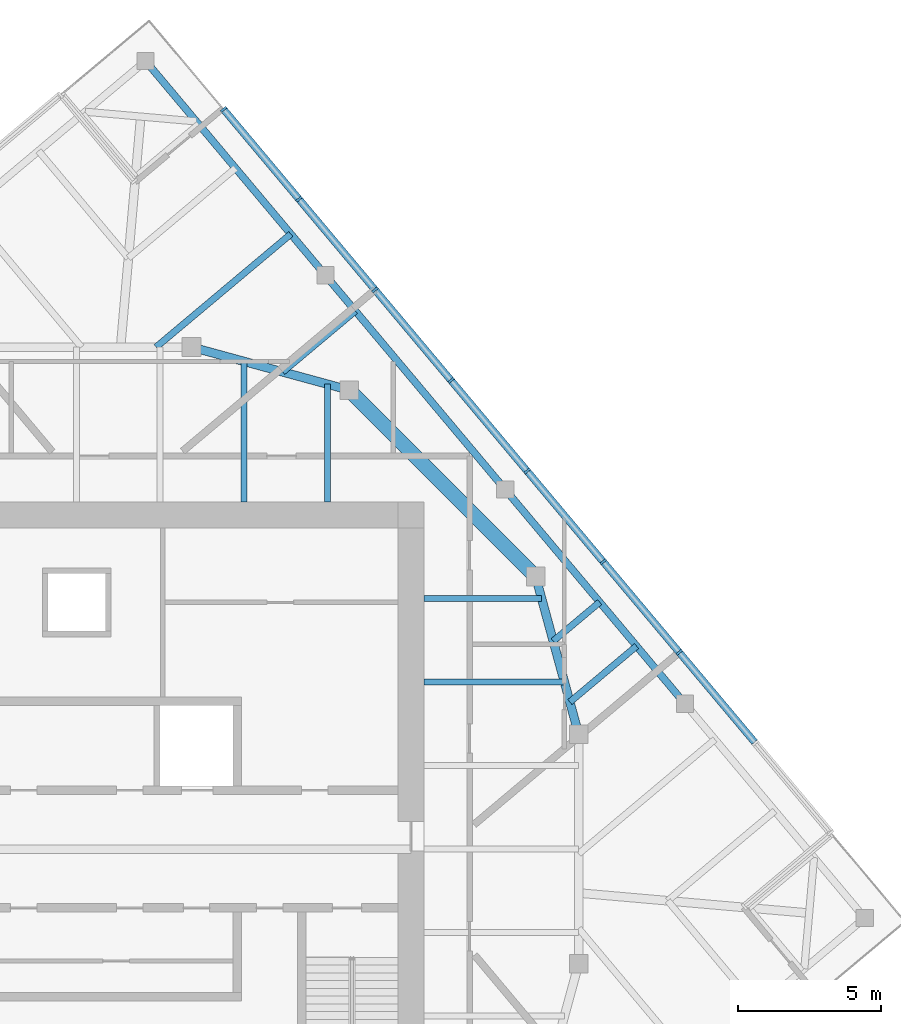
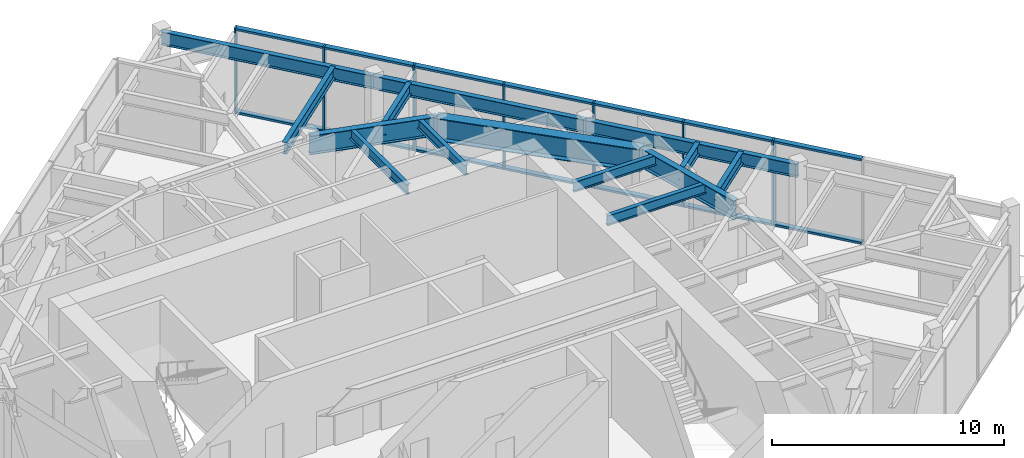
# One storey, part 6 of 11: 21 members, 14 beams, 1 element without a shape of its own.
"""IFC4 building model written with IfcOpenShell, lengths in metres."""

from ifc_helpers import new_model, si_unit, direction, frame, origin, origin_2d, place, context, subcontext, project, spatial, rectangle, i_section, extrude, material, material_profile, profile_set, type_object, element, aggregate, save


model = new_model("IFC4")

# Units and contexts
model_context = context("Model", 3, precision=1e-05, world=origin(), true_north=direction((0.0, 1.0)))
body_context = subcontext(model_context, "Body", "Model", "MODEL_VIEW")
ifc_project = project(units=[si_unit("LENGTHUNIT", "METRE"), si_unit("AREAUNIT", "SQUARE_METRE"), si_unit("VOLUMEUNIT", "CUBIC_METRE"), si_unit("PLANEANGLEUNIT", "RADIAN"), si_unit("MASSUNIT", "GRAM", prefix="KILO")], contexts=[model_context])

# Site, building, storey
site_placement = place(None, origin())
site = spatial("IfcSite", under=ifc_project, at=site_placement, CompositionType="ELEMENT")
building_placement = place(site_placement, origin())
building = spatial("IfcBuilding", under=site, at=building_placement, Name="Torsade Residences", CompositionType="ELEMENT")
storey_placement = place(building_placement, frame((0.0, 0.0, 304.300048828125)))
storey = spatial("IfcBuildingStorey", under=building, at=storey_placement, Name="L84", CompositionType="ELEMENT", Elevation=304.300048828125)

# Beams
ifc_material_1 = material(Name="Steel grade 300", Category="steel")
ifc_material_profile_1 = material_profile(ifc_material_1, i_section(OverallWidth=0.25, OverallDepth=0.699951171875, WebThickness=0.010009765625, FlangeThickness=0.02001953125, at=origin_2d()), Name="700WB130")
ifc_profile_set_1 = profile_set([ifc_material_profile_1], Name="Steel grade 300")
beam_type_1 = type_object("IfcBeamType", Name="EDGE BEAM 700WB130", PredefinedType="SPANDREL", material=ifc_profile_set_1)
for number, where, z_axis, x_axis, name in (
    (1, (61.205078125, 35.0654296875, 3.89990234375), (-0.642779160279, 0.766051532934, 0.0), (-0.766051532934, -0.642779160279, 0.0), "Edge beam 06 RF"),
    (2, (54.93798828125, 42.534423828125, 3.89990234375), (-0.642806184154, 0.766028856906, 0.0), (-0.766028856906, -0.642806184154, 0.0), "Edge beam 07 RF"),
    (3, (48.670654296875, 50.003173828125, 3.89990234375), (-0.642779160279, 0.766051532934, 0.0), (-0.766051532934, -0.642779160279, 0.0), "Edge beam 08 RF"),
):
    element("IfcBeam", number, at=place(storey_placement, frame(where, z_axis=z_axis, x_axis=x_axis)), inside=storey, type_object=beam_type_1, Name=name, PredefinedType="SPANDREL", context=body_context, shape_type="SweptSolid", body=[
        extrude(i_section(OverallWidth=0.25, OverallDepth=0.699951171875, WebThickness=0.010009765625, FlangeThickness=0.02001953125, at=origin_2d()), origin(), (0.0, 0.0, 1.0), 9.75),
    ])
ifc_material_2 = material(Name="Steel grade 300", Category="steel")
ifc_material_profile_2 = material_profile(ifc_material_2, i_section(OverallWidth=0.208984375, OverallDepth=0.528076171875, WebThickness=0.009521484375, FlangeThickness=0.01318359375, FilletRadius=0.013916015625, at=origin_2d()), Name="530UB82.0")
ifc_profile_set_2 = profile_set([ifc_material_profile_2], Name="Steel grade 300")
beam_type_2 = type_object("IfcBeamType", Name="INNER FLOOR BEAM 530UB82.0", PredefinedType="JOIST", material=ifc_profile_set_2)
beam_1_placement = place(storey_placement, frame((45.824951171875, 42.10009765625, 3.98583984375), z_axis=(0.0, 1.0, 0.0), x_axis=(-1.0, 0.0, 0.0)))
element("IfcBeam", 4, at=beam_1_placement, inside=storey, type_object=beam_type_2, Name="Inner floor beam IN06 RF", PredefinedType="JOIST", context=body_context, shape_type="SweptSolid", body=[
    extrude(i_section(OverallWidth=0.208984375, OverallDepth=0.528076171875, WebThickness=0.009521484375, FlangeThickness=0.01318359375, FilletRadius=0.013916015625, at=origin_2d()), origin(), (0.0, 0.0, 1.0), 4.902099609375),
])
beam_2_placement = place(storey_placement, frame((48.737548828125, 42.10009765625, 3.98583984375), z_axis=(0.0, 1.0, 0.0), x_axis=(-1.0, 0.0, 0.0)))
element("IfcBeam", 5, at=beam_2_placement, inside=storey, type_object=beam_type_2, Name="Inner floor beam IN07 RF", PredefinedType="JOIST", context=body_context, shape_type="SweptSolid", body=[
    extrude(i_section(OverallWidth=0.208984375, OverallDepth=0.528076171875, WebThickness=0.009521484375, FlangeThickness=0.01318359375, FilletRadius=0.013916015625, at=origin_2d()), origin(), (0.0, 0.0, 1.0), 4.10791015625),
])
beam_3_placement = place(storey_placement, frame((52.10009765625, 35.824951171875, 3.98583984375), z_axis=(1.0, 0.0, 0.0), x_axis=(0.0, 1.0, 0.0)))
element("IfcBeam", 6, at=beam_3_placement, inside=storey, type_object=beam_type_2, Name="Inner floor beam IE06 RF", PredefinedType="JOIST", context=body_context, shape_type="SweptSolid", body=[
    extrude(i_section(OverallWidth=0.208984375, OverallDepth=0.528076171875, WebThickness=0.009521484375, FlangeThickness=0.01318359375, FilletRadius=0.013916015625, at=origin_2d()), origin(), (0.0, 0.0, 1.0), 4.902099609375),
])
beam_4_placement = place(storey_placement, frame((52.10009765625, 38.737548828125, 3.98583984375), z_axis=(1.0, 0.0, 0.0), x_axis=(0.0, 1.0, 0.0)))
element("IfcBeam", 7, at=beam_4_placement, inside=storey, type_object=beam_type_2, Name="Inner floor beam IE07 RF", PredefinedType="JOIST", context=body_context, shape_type="SweptSolid", body=[
    extrude(i_section(OverallWidth=0.208984375, OverallDepth=0.528076171875, WebThickness=0.009521484375, FlangeThickness=0.01318359375, FilletRadius=0.013916015625, at=origin_2d()), origin(), (0.0, 0.0, 1.0), 4.10791015625),
])

# Curtain wall, members
ifc_material_3 = material(Name="Aluminium and glass", Category="aluminium")
curtain_wall_type = type_object("IfcCurtainWallType", Name="PLANT LEVEL LOUVRED CURTAIN WALL", PredefinedType="NOTDEFINED", material=ifc_material_3)
curtain_wall_placement = place(storey_placement, origin())
curtain_wall = element("IfcCurtainWall", 8, at=curtain_wall_placement, inside=storey, type_object=curtain_wall_type, Name="Curtain wall L84 face 4", PredefinedType="NOTDEFINED")
ifc_material_4 = material(Name="Aluminium mullion", Category="aluminium")
ifc_material_profile_3 = material_profile(ifc_material_4, rectangle(XDim=0.25, YDim=0.080078125, at=origin_2d()), Name="LOUVRE WALL MULLION 250x80")
ifc_profile_set_3 = profile_set([ifc_material_profile_3], Name="Aluminium mullion")
member_type_1 = type_object("IfcMemberType", Name="LOUVRE WALL MULLION 250x80", PredefinedType="MULLION", material=ifc_profile_set_3)
member_1_placement = place(storey_placement, frame((61.0068359375, 36.857177734375, 0.0), z_axis=(0.0, 0.0, 1.0), x_axis=(-0.766044437106, -0.642787616853, 0.0)))
member_1 = element("IfcMember", 9, at=member_1_placement, type_object=member_type_1, Name="Mullion 3", PredefinedType="MULLION", context=body_context, shape_type="SweptSolid", body=[
    extrude(rectangle(XDim=0.25, YDim=0.080078125, at=origin_2d()), origin(), (0.0, 0.0, 1.0), 4.5),
])
member_2_placement = place(storey_placement, frame((58.35546875, 40.017333984375, 0.0), z_axis=(0.0, 0.0, 1.0), x_axis=(-0.766044437106, -0.642787616853, 0.0)))
member_2 = element("IfcMember", 10, at=member_2_placement, type_object=member_type_1, Name="Mullion 4", PredefinedType="MULLION", context=body_context, shape_type="SweptSolid", body=[
    extrude(rectangle(XDim=0.25, YDim=0.080078125, at=origin_2d()), origin(), (0.0, 0.0, 1.0), 4.5),
])
member_3_placement = place(storey_placement, frame((55.703857421875, 43.17724609375, 0.0), z_axis=(0.0, 0.0, 1.0), x_axis=(-0.766044437106, -0.642787616853, 0.0)))
member_3 = element("IfcMember", 11, at=member_3_placement, type_object=member_type_1, Name="Mullion 5", PredefinedType="MULLION", context=body_context, shape_type="SweptSolid", body=[
    extrude(rectangle(XDim=0.25, YDim=0.080078125, at=origin_2d()), origin(), (0.0, 0.0, 1.0), 4.5),
])
member_4_placement = place(storey_placement, frame((53.052490234375, 46.337158203125, 0.0), z_axis=(0.0, 0.0, 1.0), x_axis=(-0.766044437106, -0.642787616853, 0.0)))
member_4 = element("IfcMember", 12, at=member_4_placement, type_object=member_type_1, Name="Mullion 6", PredefinedType="MULLION", context=body_context, shape_type="SweptSolid", body=[
    extrude(rectangle(XDim=0.25, YDim=0.080078125, at=origin_2d()), origin(), (0.0, 0.0, 1.0), 4.5),
])
member_5_placement = place(storey_placement, frame((50.40087890625, 49.4970703125, 0.0), z_axis=(0.0, 0.0, 1.0), x_axis=(-0.766044437106, -0.642787616853, 0.0)))
member_5 = element("IfcMember", 13, at=member_5_placement, type_object=member_type_1, Name="Mullion 7", PredefinedType="MULLION", context=body_context, shape_type="SweptSolid", body=[
    extrude(rectangle(XDim=0.25, YDim=0.080078125, at=origin_2d()), origin(), (0.0, 0.0, 1.0), 4.5),
])
member_6_placement = place(storey_placement, frame((47.74951171875, 52.656982421875, 0.0), z_axis=(0.0, 0.0, 1.0), x_axis=(-0.766044437106, -0.642787616853, 0.0)))
member_6 = element("IfcMember", 14, at=member_6_placement, type_object=member_type_1, Name="Mullion 8", PredefinedType="MULLION", context=body_context, shape_type="SweptSolid", body=[
    extrude(rectangle(XDim=0.25, YDim=0.080078125, at=origin_2d()), origin(), (0.0, 0.0, 1.0), 4.5),
])
member_7_placement = place(storey_placement, frame((45.12353515625, 55.7861328125, 0.0), z_axis=(0.0, 0.0, 1.0), x_axis=(-0.766044437106, -0.642787616853, 0.0)))
member_7 = element("IfcMember", 15, at=member_7_placement, type_object=member_type_1, Name="Mullion 9", PredefinedType="MULLION", context=body_context, shape_type="SweptSolid", body=[
    extrude(rectangle(XDim=0.25, YDim=0.080078125, at=origin_2d()), origin(), (0.0, 0.0, 1.0), 4.5),
])
ifc_material_5 = material(Name="Aluminium transom", Category="aluminium")
ifc_material_profile_4 = material_profile(ifc_material_5, rectangle(XDim=0.25, YDim=0.110107421875, at=origin_2d()), Name="LOUVRE WALL TRANSOM 250x110")
ifc_profile_set_4 = profile_set([ifc_material_profile_4], Name="Aluminium transom")
member_type_2 = type_object("IfcMemberType", Name="LOUVRE WALL TRANSOM 250x110", PredefinedType="USERDEFINED", material=ifc_profile_set_4)
member_8_placement = place(storey_placement, frame((63.6328125, 33.72802734375, 0.054931640625), z_axis=(-0.642792833221, 0.766040060023, 0.0), x_axis=(-0.766040060023, -0.642792833221, 0.0)))
member_8 = element("IfcMember", 16, at=member_8_placement, type_object=member_type_2, Name="Transom 2.1", ObjectType="TRANSOM", PredefinedType="USERDEFINED", context=body_context, shape_type="SweptSolid", body=[
    extrude(rectangle(XDim=0.25, YDim=0.110107421875, at=origin_2d()), origin(), (0.0, 0.0, 1.0), 4.044921875),
])
member_9_placement = place(storey_placement, frame((63.6328125, 33.72802734375, 4.445068359375), z_axis=(-0.642792833221, 0.766040060023, 0.0), x_axis=(-0.766040060023, -0.642792833221, 0.0)))
member_9 = element("IfcMember", 17, at=member_9_placement, type_object=member_type_2, Name="Transom 2.2", ObjectType="TRANSOM", PredefinedType="USERDEFINED", context=body_context, shape_type="SweptSolid", body=[
    extrude(rectangle(XDim=0.25, YDim=0.110107421875, at=origin_2d()), origin(), (0.0, 0.0, 1.0), 4.044921875),
])
member_10_placement = place(storey_placement, frame((60.981201171875, 36.887939453125, 0.054931640625), z_axis=(-0.642792833221, 0.766040060023, 0.0), x_axis=(-0.766040060023, -0.642792833221, 0.0)))
member_10 = element("IfcMember", 18, at=member_10_placement, type_object=member_type_2, Name="Transom 3.1", ObjectType="TRANSOM", PredefinedType="USERDEFINED", context=body_context, shape_type="SweptSolid", body=[
    extrude(rectangle(XDim=0.25, YDim=0.110107421875, at=origin_2d()), origin(), (0.0, 0.0, 1.0), 4.044921875),
])
member_11_placement = place(storey_placement, frame((60.981201171875, 36.887939453125, 4.445068359375), z_axis=(-0.642792833221, 0.766040060023, 0.0), x_axis=(-0.766040060023, -0.642792833221, 0.0)))
member_11 = element("IfcMember", 19, at=member_11_placement, type_object=member_type_2, Name="Transom 3.2", ObjectType="TRANSOM", PredefinedType="USERDEFINED", context=body_context, shape_type="SweptSolid", body=[
    extrude(rectangle(XDim=0.25, YDim=0.110107421875, at=origin_2d()), origin(), (0.0, 0.0, 1.0), 4.044921875),
])
member_12_placement = place(storey_placement, frame((58.32958984375, 40.0478515625, 0.054931640625), z_axis=(-0.642757413132, 0.766069780023, 0.0), x_axis=(-0.766069780023, -0.642757413132, 0.0)))
member_12 = element("IfcMember", 20, at=member_12_placement, type_object=member_type_2, Name="Transom 4.1", ObjectType="TRANSOM", PredefinedType="USERDEFINED", context=body_context, shape_type="SweptSolid", body=[
    extrude(rectangle(XDim=0.25, YDim=0.110107421875, at=origin_2d()), origin(), (0.0, 0.0, 1.0), 4.044921875),
])
member_13_placement = place(storey_placement, frame((58.32958984375, 40.0478515625, 4.445068359375), z_axis=(-0.642757413132, 0.766069780023, 0.0), x_axis=(-0.766069780023, -0.642757413132, 0.0)))
member_13 = element("IfcMember", 21, at=member_13_placement, type_object=member_type_2, Name="Transom 4.2", ObjectType="TRANSOM", PredefinedType="USERDEFINED", context=body_context, shape_type="SweptSolid", body=[
    extrude(rectangle(XDim=0.25, YDim=0.110107421875, at=origin_2d()), origin(), (0.0, 0.0, 1.0), 4.044921875),
])
member_14_placement = place(storey_placement, frame((55.67822265625, 43.207763671875, 0.054931640625), z_axis=(-0.642792833221, 0.766040060023, 0.0), x_axis=(-0.766040060023, -0.642792833221, 0.0)))
member_14 = element("IfcMember", 22, at=member_14_placement, type_object=member_type_2, Name="Transom 5.1", ObjectType="TRANSOM", PredefinedType="USERDEFINED", context=body_context, shape_type="SweptSolid", body=[
    extrude(rectangle(XDim=0.25, YDim=0.110107421875, at=origin_2d()), origin(), (0.0, 0.0, 1.0), 4.044921875),
])
member_15_placement = place(storey_placement, frame((55.67822265625, 43.207763671875, 4.445068359375), z_axis=(-0.642792833221, 0.766040060023, 0.0), x_axis=(-0.766040060023, -0.642792833221, 0.0)))
member_15 = element("IfcMember", 23, at=member_15_placement, type_object=member_type_2, Name="Transom 5.2", ObjectType="TRANSOM", PredefinedType="USERDEFINED", context=body_context, shape_type="SweptSolid", body=[
    extrude(rectangle(XDim=0.25, YDim=0.110107421875, at=origin_2d()), origin(), (0.0, 0.0, 1.0), 4.044921875),
])
member_16_placement = place(storey_placement, frame((53.026611328125, 46.36767578125, 0.054931640625), z_axis=(-0.642792833221, 0.766040060023, 0.0), x_axis=(-0.766040060023, -0.642792833221, 0.0)))
member_16 = element("IfcMember", 24, at=member_16_placement, type_object=member_type_2, Name="Transom 6.1", ObjectType="TRANSOM", PredefinedType="USERDEFINED", context=body_context, shape_type="SweptSolid", body=[
    extrude(rectangle(XDim=0.25, YDim=0.110107421875, at=origin_2d()), origin(), (0.0, 0.0, 1.0), 4.044921875),
])
member_17_placement = place(storey_placement, frame((53.026611328125, 46.36767578125, 4.445068359375), z_axis=(-0.642792833221, 0.766040060023, 0.0), x_axis=(-0.766040060023, -0.642792833221, 0.0)))
member_17 = element("IfcMember", 25, at=member_17_placement, type_object=member_type_2, Name="Transom 6.2", ObjectType="TRANSOM", PredefinedType="USERDEFINED", context=body_context, shape_type="SweptSolid", body=[
    extrude(rectangle(XDim=0.25, YDim=0.110107421875, at=origin_2d()), origin(), (0.0, 0.0, 1.0), 4.044921875),
])
member_18_placement = place(storey_placement, frame((50.375244140625, 49.527587890625, 0.054931640625), z_axis=(-0.642792833221, 0.766040060023, 0.0), x_axis=(-0.766040060023, -0.642792833221, 0.0)))
member_18 = element("IfcMember", 26, at=member_18_placement, type_object=member_type_2, Name="Transom 7.1", ObjectType="TRANSOM", PredefinedType="USERDEFINED", context=body_context, shape_type="SweptSolid", body=[
    extrude(rectangle(XDim=0.25, YDim=0.110107421875, at=origin_2d()), origin(), (0.0, 0.0, 1.0), 4.044921875),
])
member_19_placement = place(storey_placement, frame((50.375244140625, 49.527587890625, 4.445068359375), z_axis=(-0.642792833221, 0.766040060023, 0.0), x_axis=(-0.766040060023, -0.642792833221, 0.0)))
member_19 = element("IfcMember", 27, at=member_19_placement, type_object=member_type_2, Name="Transom 7.2", ObjectType="TRANSOM", PredefinedType="USERDEFINED", context=body_context, shape_type="SweptSolid", body=[
    extrude(rectangle(XDim=0.25, YDim=0.110107421875, at=origin_2d()), origin(), (0.0, 0.0, 1.0), 4.044921875),
])
member_20_placement = place(storey_placement, frame((47.7236328125, 52.6875, 0.054931640625), z_axis=(-0.642753086451, 0.766073410227, 0.0), x_axis=(-0.766073410227, -0.642753086451, 0.0)))
member_20 = element("IfcMember", 28, at=member_20_placement, type_object=member_type_2, Name="Transom 8.1", ObjectType="TRANSOM", PredefinedType="USERDEFINED", context=body_context, shape_type="SweptSolid", body=[
    extrude(rectangle(XDim=0.25, YDim=0.110107421875, at=origin_2d()), origin(), (0.0, 0.0, 1.0), 4.0048828125),
])
member_21_placement = place(storey_placement, frame((47.7236328125, 52.6875, 4.445068359375), z_axis=(-0.642753086451, 0.766073410227, 0.0), x_axis=(-0.766073410227, -0.642753086451, 0.0)))
member_21 = element("IfcMember", 29, at=member_21_placement, type_object=member_type_2, Name="Transom 8.2", ObjectType="TRANSOM", PredefinedType="USERDEFINED", context=body_context, shape_type="SweptSolid", body=[
    extrude(rectangle(XDim=0.25, YDim=0.110107421875, at=origin_2d()), origin(), (0.0, 0.0, 1.0), 4.0048828125),
])
aggregate(curtain_wall, [member_1, member_2, member_3, member_4, member_5, member_6, member_7, member_8, member_9, member_10, member_11, member_12, member_13, member_14, member_15, member_16, member_17, member_18, member_19, member_20, member_21])

# Beams
ifc_material_6 = material(Name="Steel grade 300", Category="steel")
ifc_material_profile_5 = material_profile(ifc_material_6, i_section(OverallWidth=0.5, OverallDepth=1.199951171875, WebThickness=0.01611328125, FlangeThickness=0.0400390625, at=origin_2d()), Name="1200WB455")
ifc_profile_set_5 = profile_set([ifc_material_profile_5], Name="Steel grade 300")
beam_type_3 = type_object("IfcBeamType", Name="RING CORNER GIRDER 1200WB455", PredefinedType="BEAM", material=ifc_profile_set_5)
beam_5_placement = place(storey_placement, frame((56.0, 39.5, 3.64990234375), z_axis=(-0.707106781187, 0.707106781187, 0.0), x_axis=(-0.707106781187, -0.707106781187, 0.0)))
element("IfcBeam", 30, at=beam_5_placement, inside=storey, type_object=beam_type_3, Name="Ring girder IR03 RF", PredefinedType="BEAM", context=body_context, shape_type="SweptSolid", body=[
    extrude(i_section(OverallWidth=0.5, OverallDepth=1.199951171875, WebThickness=0.01611328125, FlangeThickness=0.0400390625, at=origin_2d()), origin(), (0.0, 0.0, 1.0), 9.1923828125),
])
ifc_material_7 = material(Name="Steel grade 300", Category="steel")
ifc_material_profile_6 = material_profile(ifc_material_7, i_section(OverallWidth=0.300048828125, OverallDepth=1.0, WebThickness=0.01611328125, FlangeThickness=0.028076171875, at=origin_2d()), Name="1000WB215")
ifc_profile_set_6 = profile_set([ifc_material_profile_6], Name="Steel grade 300")
beam_type_4 = type_object("IfcBeamType", Name="RING GIRDER 1000WB215", PredefinedType="BEAM", material=ifc_profile_set_6)
for number, where, z_axis, x_axis, name in (
    (31, (57.5, 34.0, 3.75), (-0.263117405792, 0.964763821238, 0.0), (-0.964763821238, -0.263117405792, 0.0), "Ring girder IR02 RF"),
    (32, (49.5, 46.0, 3.75), (-0.964763821238, 0.263117405792, 0.0), (-0.263117405792, -0.964763821238, 0.0), "Ring girder IR04 RF"),
):
    element("IfcBeam", number, at=place(storey_placement, frame(where, z_axis=z_axis, x_axis=x_axis)), inside=storey, type_object=beam_type_4, Name=name, PredefinedType="BEAM", context=body_context, shape_type="SweptSolid", body=[
        extrude(i_section(OverallWidth=0.300048828125, OverallDepth=1.0, WebThickness=0.01611328125, FlangeThickness=0.028076171875, at=origin_2d()), origin(), (0.0, 0.0, 1.0), 5.700927734375),
    ])
ifc_material_8 = material(Name="Steel grade 300", Category="steel")
ifc_material_profile_7 = material_profile(ifc_material_8, i_section(OverallWidth=0.22900390625, OverallDepth=0.612060546875, WebThickness=0.011962890625, FlangeThickness=0.01953125, FilletRadius=0.013916015625, at=origin_2d()), Name="610UB125")
ifc_profile_set_7 = profile_set([ifc_material_profile_7], Name="Steel grade 300")
beam_type_5 = type_object("IfcBeamType", Name="SECONDARY BEAM 610UB125", PredefinedType="JOIST", material=ifc_profile_set_7)
beam_6_placement = place(storey_placement, frame((59.517822265625, 37.076171875, 3.94384765625), z_axis=(-0.766080361029, -0.64274480196, 0.0), x_axis=(0.64274480196, -0.766080361029, 0.0)))
element("IfcBeam", 33, at=beam_6_placement, inside=storey, type_object=beam_type_5, Name="Floor beam FE04 RF", PredefinedType="JOIST", context=body_context, shape_type="SweptSolid", body=[
    extrude(i_section(OverallWidth=0.22900390625, OverallDepth=0.612060546875, WebThickness=0.011962890625, FlangeThickness=0.01953125, FilletRadius=0.013916015625, at=origin_2d()), origin(), (0.0, 0.0, 1.0), 3.03466796875),
])
beam_7_placement = place(storey_placement, frame((58.232177734375, 38.6083984375, 3.94384765625), z_axis=(-0.766057560226, -0.642771977004, 0.0), x_axis=(0.642771977004, -0.766057560226, 0.0)))
element("IfcBeam", 34, at=beam_7_placement, inside=storey, type_object=beam_type_5, Name="Floor beam FE05 RF", PredefinedType="JOIST", context=body_context, shape_type="SweptSolid", body=[
    extrude(i_section(OverallWidth=0.22900390625, OverallDepth=0.612060546875, WebThickness=0.011962890625, FlangeThickness=0.01953125, FilletRadius=0.013916015625, at=origin_2d()), origin(), (0.0, 0.0, 1.0), 2.113037109375),
])
beam_8_placement = place(storey_placement, frame((49.71533203125, 48.758544921875, 3.94384765625), z_axis=(-0.766044990879, -0.642786956891, 0.0), x_axis=(0.642786956891, -0.766044990879, 0.0)))
element("IfcBeam", 35, at=beam_8_placement, inside=storey, type_object=beam_type_5, Name="Floor beam FE09 RF", PredefinedType="JOIST", context=body_context, shape_type="SweptSolid", body=[
    extrude(i_section(OverallWidth=0.22900390625, OverallDepth=0.612060546875, WebThickness=0.011962890625, FlangeThickness=0.01953125, FilletRadius=0.013916015625, at=origin_2d()), origin(), (0.0, 0.0, 1.0), 3.307861328125),
])
beam_9_placement = place(storey_placement, frame((47.465576171875, 51.439697265625, 3.94384765625), z_axis=(-0.766039049329, -0.642794037701, 0.0), x_axis=(0.642794037701, -0.766039049329, 0.0)))
element("IfcBeam", 36, at=beam_9_placement, inside=storey, type_object=beam_type_5, Name="Floor beam FE10 RF", PredefinedType="JOIST", context=body_context, shape_type="SweptSolid", body=[
    extrude(i_section(OverallWidth=0.22900390625, OverallDepth=0.612060546875, WebThickness=0.011962890625, FlangeThickness=0.01953125, FilletRadius=0.013916015625, at=origin_2d()), origin(), (0.0, 0.0, 1.0), 6.12890625),
])

save(model, "model.ifc")
